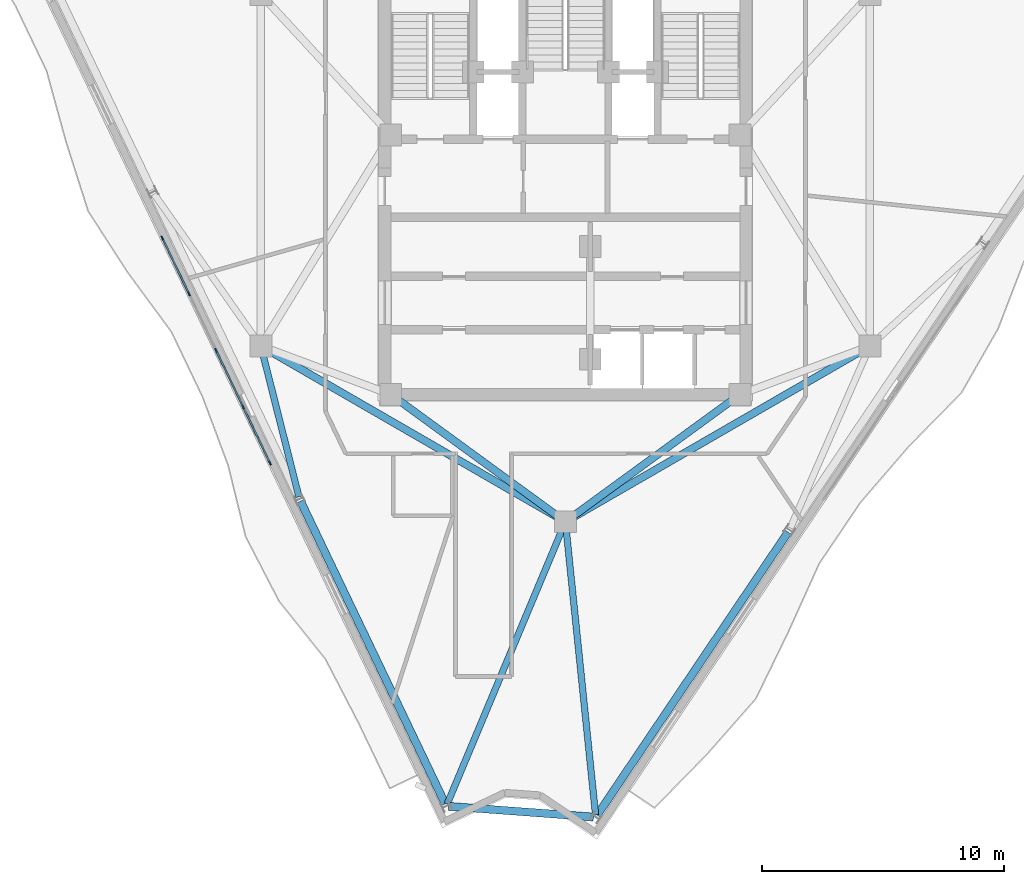
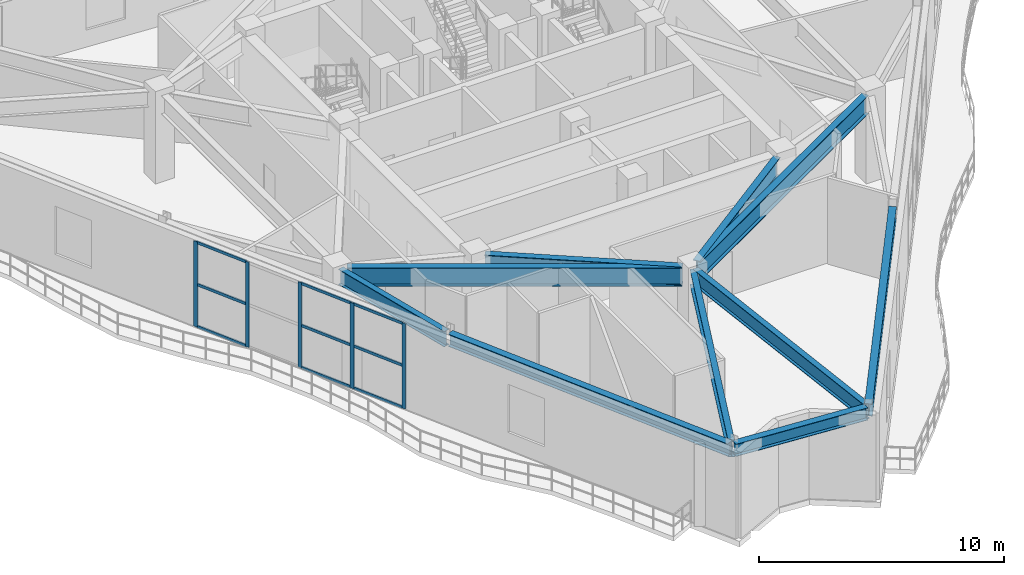
# One storey, part 4 of 15: 14 members, 10 beams, 1 element without a shape of its own.
"""IFC4 building model written with IfcOpenShell, lengths in metres."""

import ifcopenshell
import ifcopenshell.guid

model = None  # the IFC model being written
_history = None  # IfcOwnerHistory: only IFC2X3 demands one
_inside = {}  # id of a spatial element -> (the spatial element, [elements in it])
_under = {}  # id of a project, library or spatial element -> (it, [spatial elements below it])
_declared = {}  # id of a project -> (the project, [libraries it declares])
_typed = {}  # id of a type object -> (the type object, [elements of that type])
_made_of = {}  # id of a material, layer set ... -> (it, [elements and type objects made of it])


def new_model(schema):
    """Start an empty IFC model of exactly this schema.

    Asked for "IFC4X3", IfcOpenShell would pick the latest addendum, in which some entities
    have other attributes; the version numbers below select the first issue.
    IFC2X3 requires an IfcOwnerHistory on every rooted entity: one is made here for all.
    """
    global model, _history
    if schema == "IFC4X3":
        model = ifcopenshell.file(schema_version=(4, 3, 0, 0))
    else:
        model = ifcopenshell.file(schema=schema)
    _inside.clear()
    _under.clear()
    _declared.clear()
    _typed.clear()
    _made_of.clear()
    _history = None
    if model.schema == "IFC2X3":
        org = make("IfcOrganization", Name="unknown")
        user = make(
            "IfcPersonAndOrganization",
            ThePerson=make("IfcPerson", FamilyName="unknown"),
            TheOrganization=org,
        )
        app = make(
            "IfcApplication",
            ApplicationDeveloper=org,
            Version="unknown",
            ApplicationFullName="unknown",
            ApplicationIdentifier="unknown",
        )
        _history = make(
            "IfcOwnerHistory",
            OwningUser=user,
            OwningApplication=app,
            ChangeAction="ADDED",
            CreationDate=0,
        )
    return model


def make(cls, **values):
    """One entity of the class cls with the attributes given. An attribute that is None is left unset."""
    return model.create_entity(
        cls, **{name: value for name, value in values.items() if value is not None}
    )


def rooted(cls, **values):
    """An entity with a GlobalId (a new one), such as an element, a storey or a relation."""
    return make(cls, GlobalId=ifcopenshell.guid.new(), OwnerHistory=_history, **values)


def si_unit(unit_type, name, prefix=None):
    """IfcSIUnit, for example si_unit("LENGTHUNIT", "METRE", prefix="MILLI")."""
    return make("IfcSIUnit", UnitType=unit_type, Prefix=prefix, Name=name)


def assignment(units):
    """IfcUnitAssignment: the units of a project."""
    return None if units is None else make("IfcUnitAssignment", Units=units)


def point(xyz):
    """IfcCartesianPoint."""
    return None if xyz is None else make("IfcCartesianPoint", Coordinates=xyz)


def direction(xyz):
    """IfcDirection."""
    return None if xyz is None else make("IfcDirection", DirectionRatios=xyz)


def frame(location, z_axis=None, x_axis=None):
    """IfcAxis2Placement3D, a coordinate frame: its origin and axes. An axis left out is left unset."""
    return make(
        "IfcAxis2Placement3D",
        Location=point(location),
        Axis=direction(z_axis),
        RefDirection=direction(x_axis),
    )


def frame_2d(location, x_axis=None):
    """IfcAxis2Placement2D, a coordinate frame in the plane: its origin and x axis."""
    return make(
        "IfcAxis2Placement2D", Location=point(location), RefDirection=direction(x_axis)
    )


def origin():
    """The frame at (0, 0, 0) with its axes left unset."""
    return frame((0.0, 0.0, 0.0))


def origin_2d():
    """The frame at (0, 0) in the plane with its x axis left unset."""
    return frame_2d((0.0, 0.0))


def place(relative_to, where):
    """IfcLocalPlacement: puts the frame where relative to a parent placement (None: the world)."""
    return make(
        "IfcLocalPlacement", PlacementRelTo=relative_to, RelativePlacement=where
    )


def context(
    kind, dimensions, precision=None, world=None, true_north=None, identifier=None
):
    """IfcGeometricRepresentationContext, for example the 3D "Model" context."""
    return make(
        "IfcGeometricRepresentationContext",
        ContextIdentifier=identifier,
        ContextType=kind,
        CoordinateSpaceDimension=dimensions,
        Precision=precision,
        WorldCoordinateSystem=world,
        TrueNorth=true_north,
    )


def subcontext(parent, identifier, kind, view, scale=None):
    """IfcGeometricRepresentationSubContext, for example "Body" below "Model"."""
    return make(
        "IfcGeometricRepresentationSubContext",
        ContextIdentifier=identifier,
        ContextType=kind,
        ParentContext=parent,
        TargetScale=scale,
        TargetView=view,
    )


def project(units=None, contexts=None):
    """IfcProject with its units and contexts."""
    return rooted(
        "IfcProject",
        Name="project",
        RepresentationContexts=contexts,
        UnitsInContext=assignment(units),
    )


def spatial(cls, under=None, at=None, **own):
    """A site, building, storey or space (cls), placed at a placement, below another one or the project."""
    s = rooted(cls, ObjectPlacement=at, **own)
    if under is not None:
        _under.setdefault(under.id(), (under, []))[1].append(s)
    return s


def profile(cls, at=None, kind="AREA", **sizes):
    """A parametric profile (cls). Its sizes go by their IFC names, for example OverallWidth=200.0."""
    return make(cls, ProfileType=kind, Position=at, **sizes)


def rectangle(**sizes):
    """IfcRectangleProfileDef."""
    return profile("IfcRectangleProfileDef", **sizes)


def i_section(**sizes):
    """IfcIShapeProfileDef."""
    return profile("IfcIShapeProfileDef", **sizes)


def extrude(swept, where, along, depth):
    """IfcExtrudedAreaSolid: the profile swept, set in the frame where, extruded along a direction by depth."""
    return make(
        "IfcExtrudedAreaSolid",
        SweptArea=swept,
        Position=where,
        ExtrudedDirection=direction(along),
        Depth=depth,
    )


def shape(context_of_items, identifier, shape_type, items):
    """IfcShapeRepresentation: the items that make up one representation, for example the "Body"."""
    return make(
        "IfcShapeRepresentation",
        ContextOfItems=context_of_items,
        RepresentationIdentifier=identifier,
        RepresentationType=shape_type,
        Items=items,
    )


def material(Name=None, Category=None):
    """IfcMaterial."""
    return make("IfcMaterial", Name=Name, Category=Category)


def layer(
    of_material, thickness, ventilated=None, Name=None, Category=None, Priority=None
):
    """IfcMaterialLayer: one layer of a wall or slab, of a material (None: an air gap)."""
    return make(
        "IfcMaterialLayer",
        Material=of_material,
        LayerThickness=thickness,
        IsVentilated=ventilated,
        Name=Name,
        Category=Category,
        Priority=Priority,
    )


def layer_set(layers, Name=None):
    """IfcMaterialLayerSet."""
    return make("IfcMaterialLayerSet", MaterialLayers=layers, LayerSetName=Name)


def material_profile(
    of_material, cross_section, Name=None, Category=None, Priority=None
):
    """IfcMaterialProfile: a cross section and its material."""
    return make(
        "IfcMaterialProfile",
        Name=Name,
        Material=of_material,
        Profile=cross_section,
        Priority=Priority,
        Category=Category,
    )


def profile_set(profiles, Name=None, composite=None):
    """IfcMaterialProfileSet."""
    return make(
        "IfcMaterialProfileSet",
        Name=Name,
        MaterialProfiles=profiles,
        CompositeProfile=composite,
    )


def made_of(thing, what):
    """Note that an element or type object is made of a material, layer set ...; save() writes the relation."""
    if what is not None:
        _made_of.setdefault(what.id(), (what, []))[1].append(thing)
    return thing


def type_object(cls, material=None, **own):
    """A type object (cls), such as IfcWallType, which elements share."""
    return made_of(rooted(cls, **own), material)


def element(
    cls,
    number,
    at=None,
    inside=None,
    cuts=None,
    type_object=None,
    material=None,
    context=None,
    identifier="Body",
    shape_type=None,
    held_by="IfcProductDefinitionShape",
    body=None,
    shapes=None,
    **own,
):
    """One element of the class cls, such as IfcWall. Its Tag is "e" and its number.

    at: its placement. inside: the storey or other place that contains it. cuts: it is an
    opening in that element (IfcRelVoidsElement). A single representation is given by context,
    identifier, shape_type and body (its items); several are given by shapes. held_by: the class
    of the entity that holds the representations. save() writes the other relations.
    """
    e = rooted(cls, Tag="e%d" % number, ObjectPlacement=at, **own)
    if body is not None:
        shapes = [shape(context, identifier, shape_type, body)]
    if shapes is not None:
        e.Representation = make(held_by, Representations=shapes)
    if inside is not None:
        _inside.setdefault(inside.id(), (inside, []))[1].append(e)
    if cuts is not None:
        rooted(
            "IfcRelVoidsElement", RelatingBuildingElement=cuts, RelatedOpeningElement=e
        )
    if type_object is not None:
        _typed.setdefault(type_object.id(), (type_object, []))[1].append(e)
    return made_of(e, material)


def aggregate(whole, parts):
    """IfcRelAggregates: a whole, such as a stair, and the parts it consists of."""
    return rooted("IfcRelAggregates", RelatingObject=whole, RelatedObjects=parts)


def save(model, path):
    """Write the relations noted so far, then the file.

    IfcRelAggregates (storeys below a building ...), IfcRelContainedInSpatialStructure (elements
    in a storey), IfcRelDefinesByType, IfcRelAssociatesMaterial and IfcRelDeclares: one each for
    every whole, place, type object, material and project.
    """
    for whole, parts in _under.values():
        aggregate(whole, parts)
    for where, things in _inside.values():
        rooted(
            "IfcRelContainedInSpatialStructure",
            RelatedElements=things,
            RelatingStructure=where,
        )
    for kind, things in _typed.values():
        rooted("IfcRelDefinesByType", RelatedObjects=things, RelatingType=kind)
    for what, things in _made_of.values():
        rooted("IfcRelAssociatesMaterial", RelatedObjects=things, RelatingMaterial=what)
    for by, libraries in _declared.values():
        rooted("IfcRelDeclares", RelatingContext=by, RelatedDefinitions=libraries)
    model.write(path)


model = new_model("IFC4")

# Units and contexts
model_context = context("Model", 3, precision=1e-05, world=origin(), true_north=direction((0.0, 1.0)))
body_context = subcontext(model_context, "Body", "Model", "MODEL_VIEW")
ifc_project = project(units=[si_unit("LENGTHUNIT", "METRE"), si_unit("AREAUNIT", "SQUARE_METRE"), si_unit("VOLUMEUNIT", "CUBIC_METRE"), si_unit("PLANEANGLEUNIT", "RADIAN"), si_unit("MASSUNIT", "GRAM", prefix="KILO")], contexts=[model_context])

# Site, building, storey
site_placement = place(None, origin())
site = spatial("IfcSite", under=ifc_project, at=site_placement, CompositionType="ELEMENT")
building_placement = place(site_placement, origin())
building = spatial("IfcBuilding", under=site, at=building_placement, Name="Apsidion Concourse Tower", CompositionType="ELEMENT")
storey_placement = place(building_placement, frame((0.0, 0.0, 323.39990234375)))
storey = spatial("IfcBuildingStorey", under=building, at=storey_placement, Name="L76", CompositionType="ELEMENT", Elevation=323.39990234375)

# Beams
ifc_material_1 = material(Name="Structural steel ASTM A992 Grade 50", Category="steel")
ifc_material_profile_1 = material_profile(ifc_material_1, i_section(OverallWidth=0.31005859375, OverallDepth=0.931884765625, WebThickness=0.02099609375, FlangeThickness=0.034423828125, at=origin_2d()), Name="W36X210")
ifc_profile_set_1 = profile_set([ifc_material_profile_1], Name="Structural steel ASTM A992 Grade 50")
beam_type_1 = type_object("IfcBeamType", Name="BM-G-W36", PredefinedType="USERDEFINED", material=ifc_profile_set_1)
for number, where, z_axis, x_axis, name in (
    (1, (-0.3232421875, -14.264404296875, 3.833984375), (-0.807993498909, 0.589191399905, 0.0), (-0.589191399905, -0.807993498909, 0.0), "L76 Core Coupling Girder IC6-SC1"),
    (2, (0.3232421875, -14.264404296875, 3.833984375), (0.807993498909, 0.589191399905, 0.0), (-0.589191399905, 0.807993498909, 0.0), "L76 Core Coupling Girder IC6-SC2"),
):
    element("IfcBeam", number, at=place(storey_placement, frame(where, z_axis=z_axis, x_axis=x_axis)), inside=storey, type_object=beam_type_1, Name=name, ObjectType="GIRDER", PredefinedType="USERDEFINED", context=body_context, shape_type="SweptSolid", body=[
        extrude(i_section(OverallWidth=0.31005859375, OverallDepth=0.931884765625, WebThickness=0.02099609375, FlangeThickness=0.034423828125, at=origin_2d()), origin(), (0.0, 0.0, 1.0), 8.11083984375),
    ])
for number, where, z_axis, x_axis, name in (
    (3, (12.213623046875, -7.449951171875, 3.833984375), (-0.866070471464, -0.499921932364, 0.0), (0.499921932364, -0.866070471464, 0.0), "L76 Core Coupling Girder IC2-IC6"),
    (4, (-0.346435546875, -14.300048828125, 3.833984375), (-0.866070471464, 0.499921932364, 0.0), (-0.499921932364, -0.866070471464, 0.0), "L76 Core Coupling Girder IC6-IC1"),
):
    element("IfcBeam", number, at=place(storey_placement, frame(where, z_axis=z_axis, x_axis=x_axis)), inside=storey, type_object=beam_type_1, Name=name, ObjectType="GIRDER", PredefinedType="USERDEFINED", context=body_context, shape_type="SweptSolid", body=[
        extrude(i_section(OverallWidth=0.31005859375, OverallDepth=0.931884765625, WebThickness=0.02099609375, FlangeThickness=0.034423828125, at=origin_2d()), origin(), (0.0, 0.0, 1.0), 13.702392578125),
    ])
ifc_material_profile_2 = material_profile(ifc_material_1, i_section(OverallWidth=0.324951171875, OverallDepth=0.616943359375, WebThickness=0.013916015625, FlangeThickness=0.021484375, at=origin_2d()), Name="W24X117")
ifc_profile_set_2 = profile_set([ifc_material_profile_2], Name="Structural steel ASTM A992 Grade 50")
beam_type_2 = type_object("IfcBeamType", Name="BM-SP-W24", PredefinedType="SPANDREL", material=ifc_profile_set_2)
beam_1_placement = place(storey_placement, frame((-10.92236328125, -13.655029296875, 3.99169921875), z_axis=(0.431360581796, -0.902179609874, 0.0), x_axis=(0.902179609874, 0.431360581796, 0.0)))
element("IfcBeam", 5, at=beam_1_placement, inside=storey, type_object=beam_type_2, Name="L76 Perimeter Spandrel Girder SP-03", PredefinedType="SPANDREL", context=body_context, shape_type="SweptSolid", body=[
    extrude(i_section(OverallWidth=0.324951171875, OverallDepth=0.616943359375, WebThickness=0.013916015625, FlangeThickness=0.021484375, at=origin_2d()), origin(), (0.0, 0.0, 1.0), 13.834716796875),
])
beam_2_placement = place(storey_placement, frame((-4.81201171875, -26.234130859375, 3.99169921875), z_axis=(0.997286428853, -0.073619147134, 0.0), x_axis=(0.073619147134, 0.997286428853, 0.0)))
element("IfcBeam", 6, at=beam_2_placement, inside=storey, type_object=beam_type_2, Name="L76 Perimeter Spandrel Girder SP-04", PredefinedType="SPANDREL", context=body_context, shape_type="SweptSolid", body=[
    extrude(i_section(OverallWidth=0.324951171875, OverallDepth=0.616943359375, WebThickness=0.013916015625, FlangeThickness=0.021484375, at=origin_2d()), origin(), (0.0, 0.0, 1.0), 5.982421875),
])
beam_3_placement = place(storey_placement, frame((1.309814453125, -26.59912109375, 3.99169921875), z_axis=(0.559201815781, 0.829031561056, 0.0), x_axis=(-0.829031561056, 0.559201815781, 0.0)))
element("IfcBeam", 7, at=beam_3_placement, inside=storey, type_object=beam_type_2, Name="L76 Perimeter Spandrel Girder SP-05", PredefinedType="SPANDREL", context=body_context, shape_type="SweptSolid", body=[
    extrude(i_section(OverallWidth=0.324951171875, OverallDepth=0.616943359375, WebThickness=0.013916015625, FlangeThickness=0.021484375, at=origin_2d()), origin(), (0.0, 0.0, 1.0), 14.07958984375),
])
ifc_material_profile_3 = material_profile(ifc_material_1, i_section(OverallWidth=0.26806640625, OverallDepth=0.77001953125, WebThickness=0.015625, FlangeThickness=0.025390625, at=origin_2d()), Name="W30X132")
ifc_profile_set_3 = profile_set([ifc_material_profile_3], Name="Structural steel ASTM A992 Grade 50")
beam_type_3 = type_object("IfcBeamType", Name="BM-SP-W30", PredefinedType="SPANDREL", material=ifc_profile_set_3)
beam_4_placement = place(storey_placement, frame((-12.506103515625, -7.46337890625, 3.9150390625), z_axis=(0.244807492941, -0.969571705136, 0.0), x_axis=(0.969571705136, 0.244807492941, 0.0)))
element("IfcBeam", 8, at=beam_4_placement, inside=storey, type_object=beam_type_3, Name="L76 Radial Floor Girder RAD-03", PredefinedType="SPANDREL", context=body_context, shape_type="SweptSolid", body=[
    extrude(i_section(OverallWidth=0.26806640625, OverallDepth=0.77001953125, WebThickness=0.015625, FlangeThickness=0.025390625, at=origin_2d()), origin(), (0.0, 0.0, 1.0), 6.193115234375),
])
beam_5_placement = place(storey_placement, frame((-0.0849609375, -14.702880859375, 3.9150390625), z_axis=(-0.386326743156, -0.922361993755, 0.0), x_axis=(0.922361993755, -0.386326743156, 0.0)))
element("IfcBeam", 9, at=beam_5_placement, inside=storey, type_object=beam_type_3, Name="L76 Radial Floor Girder RAD-04", PredefinedType="SPANDREL", context=body_context, shape_type="SweptSolid", body=[
    extrude(i_section(OverallWidth=0.26806640625, OverallDepth=0.77001953125, WebThickness=0.015625, FlangeThickness=0.025390625, at=origin_2d()), origin(), (0.0, 0.0, 1.0), 12.393798828125),
])
beam_6_placement = place(storey_placement, frame((0.0224609375, -14.71875, 3.9150390625), z_axis=(0.10241374793, -0.994741888248, 0.0), x_axis=(0.994741888248, 0.10241374793, 0.0)))
element("IfcBeam", 10, at=beam_6_placement, inside=storey, type_object=beam_type_3, Name="L76 Radial Floor Girder RAD-05", PredefinedType="SPANDREL", context=body_context, shape_type="SweptSolid", body=[
    extrude(i_section(OverallWidth=0.26806640625, OverallDepth=0.77001953125, WebThickness=0.015625, FlangeThickness=0.025390625, at=origin_2d()), origin(), (0.0, 0.0, 1.0), 11.926513671875),
])

# Curtain wall, members
ifc_material_2 = material(Name="Insulated laminated low-E glass", Category="glass")
ifc_layer = layer(ifc_material_2, 0.22998046875)
ifc_layer_set = layer_set([ifc_layer], Name="Insulated laminated low-E glass")
curtain_wall_type = type_object("IfcCurtainWallType", Name="CW-SYS-05", PredefinedType="NOTDEFINED", material=ifc_layer_set)
curtain_wall_placement = place(storey_placement, origin())
curtain_wall = element("IfcCurtainWall", 11, at=curtain_wall_placement, inside=storey, type_object=curtain_wall_type, Name="L76 Sky Observatory Curtain Wall 9", PredefinedType="NOTDEFINED")
ifc_material_3 = material(Name="Anodised aluminium EN AW-6063 T6", Category="aluminium")
ifc_material_profile_4 = material_profile(ifc_material_3, rectangle(XDim=0.06494140625, YDim=0.179931640625, at=origin_2d()), Name="ALU MULLION 65x180")
ifc_profile_set_4 = profile_set([ifc_material_profile_4], Name="Anodised aluminium EN AW-6063 T6")
member_type_1 = type_object("IfcMemberType", Name="CWM-65X180", PredefinedType="MULLION", material=ifc_profile_set_4)
member_1_placement = place(storey_placement, frame((-12.18310546875, -12.081298828125, 0.0), z_axis=(0.0, 0.0, 1.0), x_axis=(-0.902067584544, -0.431594801771, 0.0)))
member_1 = element("IfcMember", 12, at=member_1_placement, type_object=member_type_1, Name="CW-05 mullion 1", PredefinedType="MULLION", context=body_context, shape_type="SweptSolid", body=[
    extrude(rectangle(XDim=0.06494140625, YDim=0.179931640625, at=origin_2d()), origin(), (0.0, 0.0, 1.0), 4.25),
])
member_2_placement = place(storey_placement, frame((-13.287353515625, -9.7734375, 0.0), z_axis=(0.0, 0.0, 1.0), x_axis=(-0.902067584544, -0.431594801771, 0.0)))
member_2 = element("IfcMember", 13, at=member_2_placement, type_object=member_type_1, Name="CW-05 mullion 2", PredefinedType="MULLION", context=body_context, shape_type="SweptSolid", body=[
    extrude(rectangle(XDim=0.06494140625, YDim=0.179931640625, at=origin_2d()), origin(), (0.0, 0.0, 1.0), 4.25),
])
member_3_placement = place(storey_placement, frame((-14.405517578125, -7.436279296875, 0.0), z_axis=(0.0, 0.0, 1.0), x_axis=(-0.902067584544, -0.431594801771, 0.0)))
member_3 = element("IfcMember", 14, at=member_3_placement, type_object=member_type_1, Name="CW-05 mullion 3", PredefinedType="MULLION", context=body_context, shape_type="SweptSolid", body=[
    extrude(rectangle(XDim=0.06494140625, YDim=0.179931640625, at=origin_2d()), origin(), (0.0, 0.0, 1.0), 4.25),
])
member_4_placement = place(storey_placement, frame((-15.523681640625, -5.099365234375, 0.0), z_axis=(0.0, 0.0, 1.0), x_axis=(-0.902067584544, -0.431594801771, 0.0)))
member_4 = element("IfcMember", 15, at=member_4_placement, type_object=member_type_1, Name="CW-05 mullion 4", PredefinedType="MULLION", context=body_context, shape_type="SweptSolid", body=[
    extrude(rectangle(XDim=0.06494140625, YDim=0.179931640625, at=origin_2d()), origin(), (0.0, 0.0, 1.0), 4.25),
])
member_5_placement = place(storey_placement, frame((-16.6279296875, -2.79150390625, 0.0), z_axis=(0.0, 0.0, 1.0), x_axis=(-0.902067584544, -0.431594801771, 0.0)))
member_5 = element("IfcMember", 16, at=member_5_placement, type_object=member_type_1, Name="CW-05 mullion 5", PredefinedType="MULLION", context=body_context, shape_type="SweptSolid", body=[
    extrude(rectangle(XDim=0.06494140625, YDim=0.179931640625, at=origin_2d()), origin(), (0.0, 0.0, 1.0), 4.25),
])
ifc_material_profile_5 = material_profile(ifc_material_3, rectangle(XDim=0.06494140625, YDim=0.139892578125, at=origin_2d()), Name="ALU TRANSOM 65x140")
ifc_profile_set_5 = profile_set([ifc_material_profile_5], Name="Anodised aluminium EN AW-6063 T6")
member_type_2 = type_object("IfcMemberType", Name="CWT-65X140", PredefinedType="USERDEFINED", material=ifc_profile_set_5)
member_6_placement = place(storey_placement, frame((-12.197265625, -12.0517578125, 0.03271484375), z_axis=(-0.431635663295, 0.902048033184, 0.0), x_axis=(-0.902048033184, -0.431635663295, 0.0)))
member_6 = element("IfcMember", 17, at=member_6_placement, type_object=member_type_2, Name="CW-05 transom 1.1", ObjectType="TRANSOM", PredefinedType="USERDEFINED", context=body_context, shape_type="SweptSolid", body=[
    extrude(rectangle(XDim=0.06494140625, YDim=0.139892578125, at=origin_2d()), origin(), (0.0, 0.0, 1.0), 2.4931640625),
])
member_7_placement = place(storey_placement, frame((-12.197265625, -12.0517578125, 2.125), z_axis=(-0.431635663295, 0.902048033184, 0.0), x_axis=(-0.902048033184, -0.431635663295, 0.0)))
member_7 = element("IfcMember", 18, at=member_7_placement, type_object=member_type_2, Name="CW-05 transom 1.2", ObjectType="TRANSOM", PredefinedType="USERDEFINED", context=body_context, shape_type="SweptSolid", body=[
    extrude(rectangle(XDim=0.06494140625, YDim=0.139892578125, at=origin_2d()), origin(), (0.0, 0.0, 1.0), 2.4931640625),
])
member_8_placement = place(storey_placement, frame((-12.197265625, -12.0517578125, 4.217529296875), z_axis=(-0.431635663295, 0.902048033184, 0.0), x_axis=(-0.902048033184, -0.431635663295, 0.0)))
member_8 = element("IfcMember", 19, at=member_8_placement, type_object=member_type_2, Name="CW-05 transom 1.3", ObjectType="TRANSOM", PredefinedType="USERDEFINED", context=body_context, shape_type="SweptSolid", body=[
    extrude(rectangle(XDim=0.06494140625, YDim=0.139892578125, at=origin_2d()), origin(), (0.0, 0.0, 1.0), 2.4931640625),
])
member_9_placement = place(storey_placement, frame((-13.301513671875, -9.744140625, 0.03271484375), z_axis=(-0.431564937421, 0.902081872553, 0.0), x_axis=(-0.902081872553, -0.431564937421, 0.0)))
member_9 = element("IfcMember", 20, at=member_9_placement, type_object=member_type_2, Name="CW-05 transom 2.1", ObjectType="TRANSOM", PredefinedType="USERDEFINED", context=body_context, shape_type="SweptSolid", body=[
    extrude(rectangle(XDim=0.06494140625, YDim=0.139892578125, at=origin_2d()), origin(), (0.0, 0.0, 1.0), 2.52587890625),
])
member_10_placement = place(storey_placement, frame((-13.301513671875, -9.744140625, 2.125), z_axis=(-0.431564937421, 0.902081872553, 0.0), x_axis=(-0.902081872553, -0.431564937421, 0.0)))
member_10 = element("IfcMember", 21, at=member_10_placement, type_object=member_type_2, Name="CW-05 transom 2.2", ObjectType="TRANSOM", PredefinedType="USERDEFINED", context=body_context, shape_type="SweptSolid", body=[
    extrude(rectangle(XDim=0.06494140625, YDim=0.139892578125, at=origin_2d()), origin(), (0.0, 0.0, 1.0), 2.52587890625),
])
member_11_placement = place(storey_placement, frame((-13.301513671875, -9.744140625, 4.217529296875), z_axis=(-0.431564937421, 0.902081872553, 0.0), x_axis=(-0.902081872553, -0.431564937421, 0.0)))
member_11 = element("IfcMember", 22, at=member_11_placement, type_object=member_type_2, Name="CW-05 transom 2.3", ObjectType="TRANSOM", PredefinedType="USERDEFINED", context=body_context, shape_type="SweptSolid", body=[
    extrude(rectangle(XDim=0.06494140625, YDim=0.139892578125, at=origin_2d()), origin(), (0.0, 0.0, 1.0), 2.52587890625),
])
member_12_placement = place(storey_placement, frame((-15.537841796875, -5.070068359375, 0.03271484375), z_axis=(-0.431517861529, 0.902104392618, 0.0), x_axis=(-0.902104392618, -0.431517861529, 0.0)))
member_12 = element("IfcMember", 23, at=member_12_placement, type_object=member_type_2, Name="CW-05 transom 4.1", ObjectType="TRANSOM", PredefinedType="USERDEFINED", context=body_context, shape_type="SweptSolid", body=[
    extrude(rectangle(XDim=0.06494140625, YDim=0.139892578125, at=origin_2d()), origin(), (0.0, 0.0, 1.0), 2.493408203125),
])
member_13_placement = place(storey_placement, frame((-15.537841796875, -5.070068359375, 2.125), z_axis=(-0.431517861529, 0.902104392618, 0.0), x_axis=(-0.902104392618, -0.431517861529, 0.0)))
member_13 = element("IfcMember", 24, at=member_13_placement, type_object=member_type_2, Name="CW-05 transom 4.2", ObjectType="TRANSOM", PredefinedType="USERDEFINED", context=body_context, shape_type="SweptSolid", body=[
    extrude(rectangle(XDim=0.06494140625, YDim=0.139892578125, at=origin_2d()), origin(), (0.0, 0.0, 1.0), 2.493408203125),
])
member_14_placement = place(storey_placement, frame((-15.537841796875, -5.070068359375, 4.217529296875), z_axis=(-0.431517861529, 0.902104392618, 0.0), x_axis=(-0.902104392618, -0.431517861529, 0.0)))
member_14 = element("IfcMember", 25, at=member_14_placement, type_object=member_type_2, Name="CW-05 transom 4.3", ObjectType="TRANSOM", PredefinedType="USERDEFINED", context=body_context, shape_type="SweptSolid", body=[
    extrude(rectangle(XDim=0.06494140625, YDim=0.139892578125, at=origin_2d()), origin(), (0.0, 0.0, 1.0), 2.493408203125),
])
aggregate(curtain_wall, [member_1, member_2, member_3, member_4, member_5, member_6, member_7, member_8, member_9, member_10, member_11, member_12, member_13, member_14])

save(model, "model.ifc")
